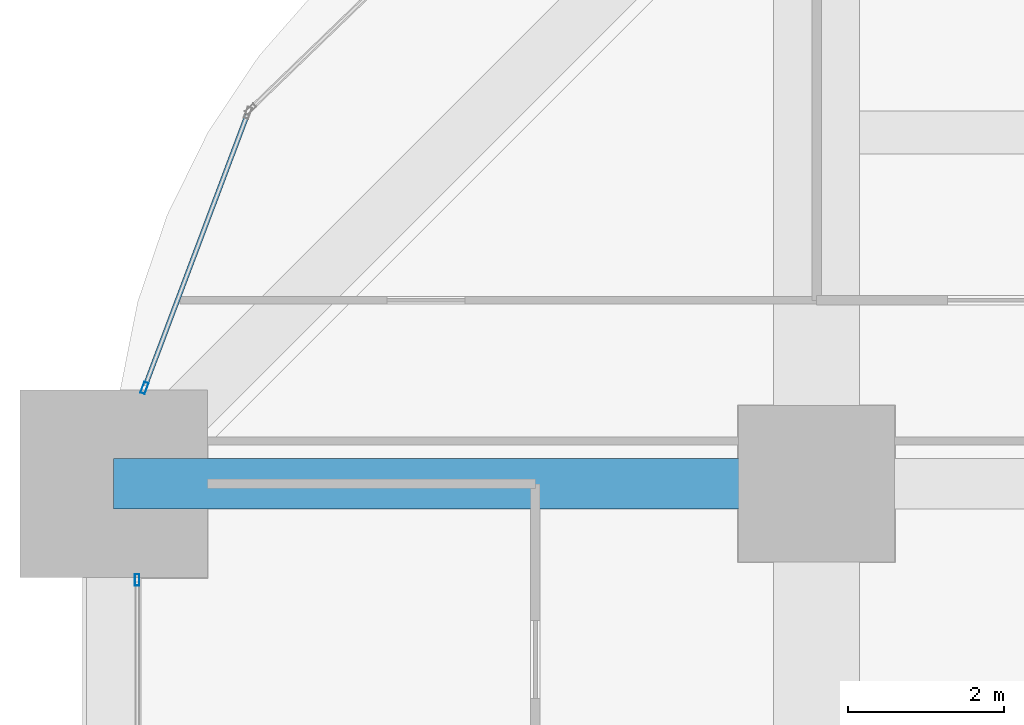
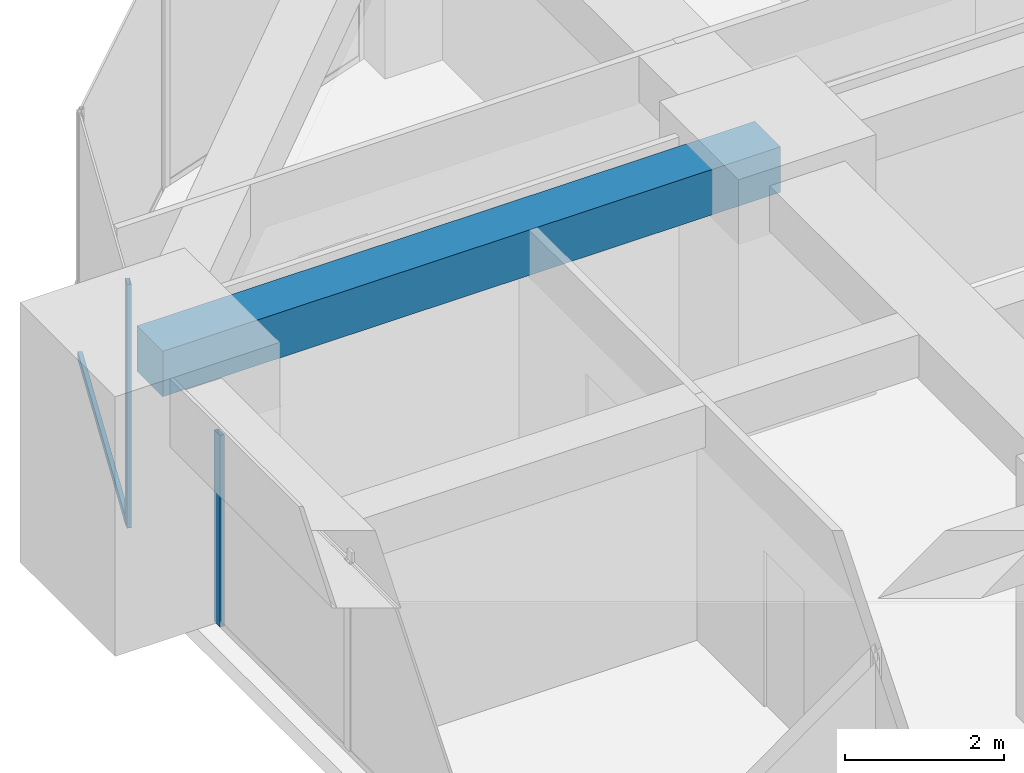
# One storey, part 24 of 41: 3 members, 1 beam, 2 elements without a shape of their own.
"""IFC4 building model written with IfcOpenShell, lengths in metres."""

from ifc_helpers import new_model, si_unit, direction, frame, origin, origin_2d, place, context, subcontext, project, spatial, rectangle, hollow_rectangle, extrude, material, material_profile, profile_set, type_object, element, aggregate, save


model = new_model("IFC4")

# Units and contexts
model_context = context("Model", 3, precision=1e-05, world=origin(), true_north=direction((0.0, 1.0)))
body_context = subcontext(model_context, "Body", "Model", "MODEL_VIEW")
ifc_project = project(units=[si_unit("LENGTHUNIT", "METRE"), si_unit("AREAUNIT", "SQUARE_METRE"), si_unit("VOLUMEUNIT", "CUBIC_METRE"), si_unit("PLANEANGLEUNIT", "RADIAN"), si_unit("MASSUNIT", "GRAM", prefix="KILO")], contexts=[model_context])

# Site, building, storey
site_placement = place(None, origin())
site = spatial("IfcSite", under=ifc_project, at=site_placement, CompositionType="ELEMENT")
building_placement = place(site_placement, origin())
building = spatial("IfcBuilding", under=site, at=building_placement, Name="Zorevar Civic Tower", CompositionType="ELEMENT")
storey_placement = place(building_placement, frame((0.0, 0.0, 113.0)))
storey = spatial("IfcBuildingStorey", under=building, at=storey_placement, Name="L27", CompositionType="ELEMENT", Elevation=113.0)

# Beam
ifc_material_1 = material(Name="Concrete C50/60", Category="concrete")
ifc_material_profile_1 = material_profile(ifc_material_1, rectangle(XDim=0.64990234375, YDim=0.699951171875, at=origin_2d()), Name="RC 650x700")
ifc_profile_set_1 = profile_set([ifc_material_profile_1], Name="Concrete C50/60")
beam_type = type_object("IfcBeamType", Name="Beam RC 650x700", PredefinedType="BEAM", material=ifc_profile_set_1)
beam_placement = place(storey_placement, frame((0.0, 36.0, 3.39990234375), z_axis=(1.0, 0.0, 0.0), x_axis=(0.0, 1.0, 0.0)))
element("IfcBeam", 1, at=beam_placement, inside=storey, type_object=beam_type, Name="Girder L28", PredefinedType="BEAM", context=body_context, shape_type="SweptSolid", body=[
    extrude(rectangle(XDim=0.64990234375, YDim=0.699951171875, at=origin_2d()), origin(), (0.0, 0.0, 1.0), 9.0),
])

# Curtain wall, member
ifc_material_2 = material(Name="Dark grey solar-control glass in black aluminium frame", Category="aluminium")
curtain_wall_type = type_object("IfcCurtainWallType", Name="Curtain wall CW3 mid zone", PredefinedType="NOTDEFINED", material=ifc_material_2)
curtain_wall_1_placement = place(storey_placement, origin())
curtain_wall_1 = element("IfcCurtainWall", 2, at=curtain_wall_1_placement, inside=storey, type_object=curtain_wall_type, Name="CW3 L27", PredefinedType="NOTDEFINED")
ifc_material_3 = material(Name="Aluminium, black anodised", Category="aluminium")
ifc_material_profile_2 = material_profile(ifc_material_3, hollow_rectangle(XDim=0.06005859375, YDim=0.14990234375, WallThickness=0.00390625, at=origin_2d()), Name="AL 150x60x4")
ifc_profile_set_2 = profile_set([ifc_material_profile_2], Name="Aluminium, black anodised")
member_type_1 = type_object("IfcMemberType", Name="CW3 mullion AL 150x60x4", PredefinedType="MULLION", material=ifc_profile_set_2)
member_1_placement = place(storey_placement, frame((0.300048828125, 34.77001953125, 0.0), z_axis=(0.0, 0.0, 1.0), x_axis=(-1.0, 0.0, 0.0)))
member_1 = element("IfcMember", 3, at=member_1_placement, type_object=member_type_1, Name="CW3 mullion 3", PredefinedType="MULLION", context=body_context, shape_type="SweptSolid", body=[
    extrude(hollow_rectangle(XDim=0.06005859375, YDim=0.14990234375, WallThickness=0.00390625, at=origin_2d()), origin(), (0.0, 0.0, 1.0), 2.949951171875),
])
aggregate(curtain_wall_1, [member_1])

# Curtain wall, members
curtain_wall_2_placement = place(storey_placement, origin())
curtain_wall_2 = element("IfcCurtainWall", 4, at=curtain_wall_2_placement, inside=storey, type_object=curtain_wall_type, Name="CW3 L27", PredefinedType="NOTDEFINED")
member_2_placement = place(storey_placement, frame((0.393798828125, 37.22802734375, 0.0), z_axis=(0.0, 0.0, 1.0), x_axis=(0.935950528564, -0.352131520999, 0.0)))
member_2 = element("IfcMember", 5, at=member_2_placement, type_object=member_type_1, Name="CW3 mullion 2", PredefinedType="MULLION", context=body_context, shape_type="SweptSolid", body=[
    extrude(hollow_rectangle(XDim=0.06005859375, YDim=0.14990234375, WallThickness=0.00390625, at=origin_2d()), origin(), (0.0, 0.0, 1.0), 3.75),
])
ifc_material_4 = material(Name="Aluminium, black anodised", Category="aluminium")
ifc_material_profile_3 = material_profile(ifc_material_4, hollow_rectangle(XDim=0.06005859375, YDim=0.1201171875, WallThickness=0.0029296875, at=origin_2d()), Name="AL 120x60x3")
ifc_profile_set_3 = profile_set([ifc_material_profile_3], Name="Aluminium, black anodised")
member_type_2 = type_object("IfcMemberType", Name="CW3 transom AL 120x60x3", PredefinedType="USERDEFINED", material=ifc_profile_set_3)
member_3_placement = place(storey_placement, frame((1.7080078125, 40.72119140625, 0.030029296875), z_axis=(-0.352142207579, -0.935946507895, 0.0), x_axis=(0.935946507895, -0.352142207579, 0.0)))
member_3 = element("IfcMember", 6, at=member_3_placement, type_object=member_type_2, Name="CW3 sill transom", ObjectType="TRANSOM", PredefinedType="USERDEFINED", context=body_context, shape_type="SweptSolid", body=[
    extrude(hollow_rectangle(XDim=0.06005859375, YDim=0.1201171875, WallThickness=0.0029296875, at=origin_2d()), origin(), (0.0, 0.0, 1.0), 3.7021484375),
])
aggregate(curtain_wall_2, [member_2, member_3])

save(model, "model.ifc")
